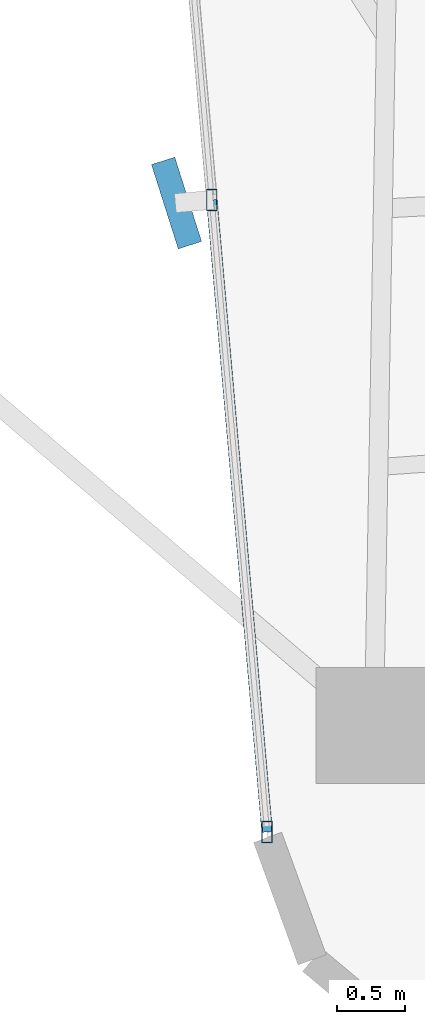
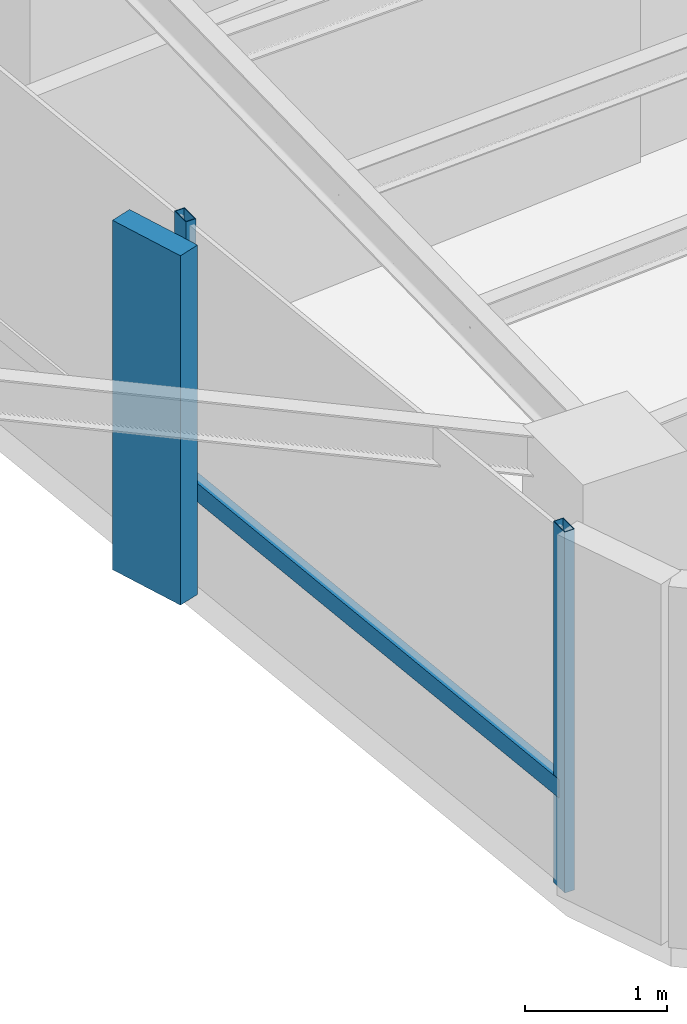
# One storey, part 2 of 24: 4 members, 1 element without a shape of its own.
"""IFC4 building model written with IfcOpenShell, lengths in metres."""

from ifc_helpers import new_model, si_unit, direction, frame, origin, origin_2d, place, context, subcontext, project, spatial, rectangle, hollow_rectangle, extrude, source, transform, mapped, material, material_profile, profile_set, type_object, element, aggregate, save


model = new_model("IFC4")

# Units and contexts
model_context = context("Model", 3, precision=1e-05, world=origin(), true_north=direction((0.0, 1.0)))
body_context = subcontext(model_context, "Body", "Model", "MODEL_VIEW")
ifc_project = project(units=[si_unit("LENGTHUNIT", "METRE"), si_unit("AREAUNIT", "SQUARE_METRE"), si_unit("VOLUMEUNIT", "CUBIC_METRE"), si_unit("PLANEANGLEUNIT", "RADIAN"), si_unit("MASSUNIT", "GRAM", prefix="KILO")], contexts=[model_context])

# Site, building, storey
site_placement = place(None, origin())
site = spatial("IfcSite", under=ifc_project, at=site_placement, CompositionType="ELEMENT")
building_placement = place(site_placement, origin())
building = spatial("IfcBuilding", under=site, at=building_placement, Name="Sahyath Konkavel Grand Hotel", CompositionType="ELEMENT")
storey_placement = place(building_placement, frame((0.0, 0.0, 153.949951171875)))
storey = spatial("IfcBuildingStorey", under=building, at=storey_placement, Name="L42", CompositionType="ELEMENT", Elevation=153.949951171875)

# Curtain wall, members
ifc_material_1 = material(Name="Anodised Bronze Aluminium & Low-E Glazing", Category="aluminium")
curtain_wall_type = type_object("IfcCurtainWallType", Name="CW-ZONE3", PredefinedType="NOTDEFINED", material=ifc_material_1)
curtain_wall_placement = place(storey_placement, origin())
curtain_wall = element("IfcCurtainWall", 1, at=curtain_wall_placement, inside=storey, type_object=curtain_wall_type, Name="L42 Unitised Curtain Wall F24", PredefinedType="NOTDEFINED")
ifc_material_2 = material(Name="Warm Buff Sandstone Cladding on Concrete C50/60", Category="masonry")
ifc_material_profile_1 = material_profile(ifc_material_2, rectangle(XDim=0.179931640625, YDim=0.64990234375, at=origin_2d()), Name="FIN 180x650")
ifc_profile_set_1 = profile_set([ifc_material_profile_1], Name="Warm Buff Sandstone Cladding on Concrete C50/60")
member_type_1 = type_object("IfcMemberType", Name="FIN-SANDSTONE-650", PredefinedType="MULLION", material=ifc_profile_set_1)
shared_shape_1 = source(origin(), body_context, "Body", "SweptSolid", [
    extrude(rectangle(XDim=0.179931640625, YDim=0.64990234375, at=origin_2d()), origin(), (0.0, 0.0, 1.0), 3.010009765625),
])
member_1_placement = place(storey_placement, frame((-5.386474609375, -14.273681640625, 0.050048828125), z_axis=(0.0, 0.0, 1.0), x_axis=(0.953032216634, 0.302868938746, 0.0)))
member_1 = element("IfcMember", 2, at=member_1_placement, type_object=member_type_1, Name="L42 Sandstone Vertical Solar Fin FIN F24-1", PredefinedType="MULLION", context=body_context, shape_type="MappedRepresentation", body=[
    mapped(shared_shape_1, transform((0.0, 0.0, 0.0), scale=1.0)),
])
ifc_material_3 = material(Name="Anodised Bronze Aluminium", Category="aluminium")
ifc_material_profile_2 = material_profile(ifc_material_3, hollow_rectangle(XDim=0.080078125, YDim=0.159912109375, WallThickness=0.006103515625, at=origin_2d()), Name="RHS 160x80x6")
ifc_profile_set_2 = profile_set([ifc_material_profile_2], Name="Anodised Bronze Aluminium")
member_type_2 = type_object("IfcMemberType", Name="CW-MUL-160", PredefinedType="MULLION", material=ifc_profile_set_2)
shared_shape_2 = source(origin(), body_context, "Body", "SweptSolid", [
    extrude(hollow_rectangle(XDim=0.080078125, YDim=0.159912109375, WallThickness=0.006103515625, at=origin_2d()), origin(), (0.0, 0.0, 1.0), 3.110107421875),
])
member_2_placement = place(storey_placement, frame((-5.12744140625, -14.251220703125, 0.0), z_axis=(0.0, 0.0, 1.0), x_axis=(1.0, 0.0, 0.0)))
member_2 = element("IfcMember", 3, at=member_2_placement, type_object=member_type_2, Name="L42 Curtain Wall Mullion F24-1", PredefinedType="MULLION", context=body_context, shape_type="MappedRepresentation", body=[
    mapped(shared_shape_2, transform((0.0, 0.0, 0.0), scale=1.0)),
])
member_3_placement = place(storey_placement, frame((-4.72119140625, -18.893310546875, 0.0), z_axis=(0.0, 0.0, 1.0), x_axis=(1.0, 0.0, 0.0)))
member_3 = element("IfcMember", 4, at=member_3_placement, type_object=member_type_2, Name="L42 Curtain Wall Mullion F24-2", PredefinedType="MULLION", context=body_context, shape_type="MappedRepresentation", body=[
    mapped(shared_shape_2, transform((0.0, 0.0, 0.0), scale=1.0)),
])
ifc_material_profile_3 = material_profile(ifc_material_3, hollow_rectangle(XDim=0.080078125, YDim=0.159912109375, WallThickness=0.006103515625, at=origin_2d()), Name="RHS 160x80x6")
ifc_profile_set_3 = profile_set([ifc_material_profile_3], Name="Anodised Bronze Aluminium")
member_type_3 = type_object("IfcMemberType", Name="CW-TRN-160", PredefinedType="USERDEFINED", material=ifc_profile_set_3)
shared_shape_3 = source(origin(), body_context, "Body", "SweptSolid", [
    extrude(hollow_rectangle(XDim=0.080078125, YDim=0.159912109375, WallThickness=0.006103515625, at=origin_2d()), origin(), (0.0, 0.0, 1.0), 4.659912109375),
])
member_4_placement = place(storey_placement, frame((-5.12744140625, -14.251220703125, 0.85009765625), z_axis=(0.087181248758, -0.996192466276, 0.0), x_axis=(0.996192466276, 0.087181248758, 0.0)))
member_4 = element("IfcMember", 5, at=member_4_placement, type_object=member_type_3, Name="L42 Curtain Wall Transom F24-1-spandrel", ObjectType="TRANSOM", PredefinedType="USERDEFINED", context=body_context, shape_type="MappedRepresentation", body=[
    mapped(shared_shape_3, transform((0.0, 0.0, 0.0), scale=1.0)),
])
aggregate(curtain_wall, [member_2, member_1, member_3, member_4])

save(model, "model.ifc")
